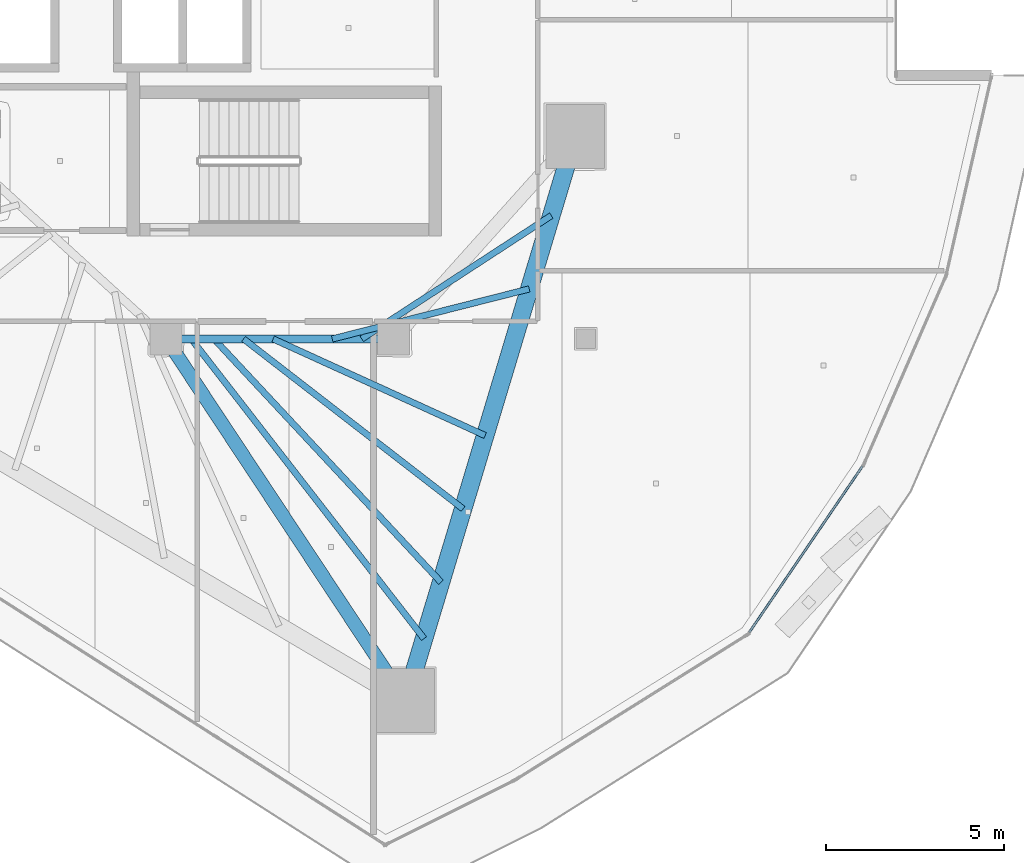
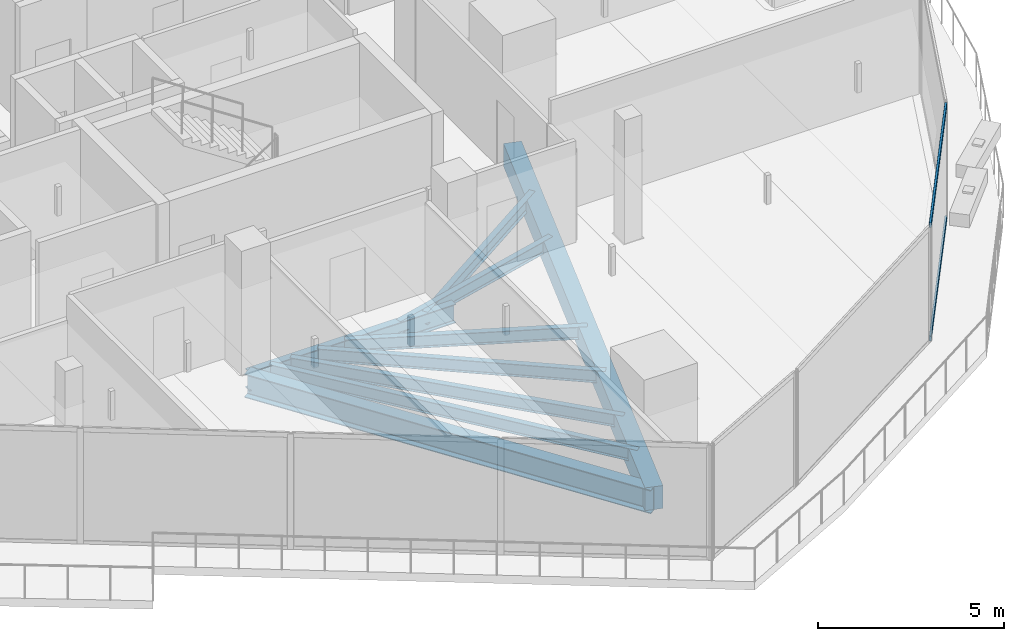
# One storey, part 10 of 36: 9 beams, 2 members, 1 element without a shape of its own.
"""IFC4 building model written with IfcOpenShell, lengths in metres."""

from ifc_helpers import new_model, si_unit, direction, frame, origin, origin_2d, place, context, subcontext, project, spatial, rectangle, hollow_rectangle, i_section, extrude, material, layer, layer_set, material_profile, profile_set, type_object, element, aggregate, save


model = new_model("IFC4")

# Units and contexts
model_context = context("Model", 3, precision=1e-05, world=origin(), true_north=direction((0.0, 1.0)))
body_context = subcontext(model_context, "Body", "Model", "MODEL_VIEW")
ifc_project = project(units=[si_unit("LENGTHUNIT", "METRE"), si_unit("AREAUNIT", "SQUARE_METRE"), si_unit("VOLUMEUNIT", "CUBIC_METRE"), si_unit("PLANEANGLEUNIT", "RADIAN"), si_unit("MASSUNIT", "GRAM", prefix="KILO")], contexts=[model_context])

# Site, building, storey
site_placement = place(None, origin())
site = spatial("IfcSite", under=ifc_project, at=site_placement, CompositionType="ELEMENT")
building_placement = place(site_placement, origin())
building = spatial("IfcBuilding", under=site, at=building_placement, Name="Qorvath Tower", CompositionType="ELEMENT")
storey_placement = place(building_placement, frame((0.0, 0.0, 241.5)))
storey = spatial("IfcBuildingStorey", under=building, at=storey_placement, Name="L56", CompositionType="ELEMENT", Elevation=241.5)

# Beams
ifc_material_1 = material(Name="Steel ASTM A992 Grade 50", Category="steel")
ifc_material_profile_1 = material_profile(ifc_material_1, i_section(OverallWidth=0.381103515625, OverallDepth=0.77294921875, WebThickness=0.0166015625, FlangeThickness=0.027099609375, FilletRadius=0.01904296875, at=origin_2d()), Name="W30x173")
ifc_profile_set_1 = profile_set([ifc_material_profile_1], Name="Steel ASTM A992 Grade 50")
beam_type_1 = type_object("IfcBeamType", Name="BM-FG3", PredefinedType="BEAM", material=ifc_profile_set_1)
beam_1_placement = place(storey_placement, frame((-23.60009765625, -11.449951171875, -0.656494140625), z_axis=(0.551500517741, -0.834174549439, 0.0), x_axis=(0.834174549439, 0.551500517741, 0.0)))
element("IfcBeam", 1, at=beam_1_placement, inside=storey, type_object=beam_type_1, Name="Radial Floor Girder CC4-MC3 L56", PredefinedType="BEAM", context=body_context, shape_type="SweptSolid", body=[
    extrude(i_section(OverallWidth=0.381103515625, OverallDepth=0.77294921875, WebThickness=0.0166015625, FlangeThickness=0.027099609375, FilletRadius=0.01904296875, at=origin_2d()), origin(), (0.0, 0.0, 1.0), 12.200439453125),
])
ifc_material_2 = material(Name="Steel ASTM A992 Grade 50", Category="steel")
ifc_material_profile_2 = material_profile(ifc_material_2, i_section(OverallWidth=0.22998046875, OverallDepth=0.616943359375, WebThickness=0.01318359375, FlangeThickness=0.022216796875, FilletRadius=0.014892578125, at=origin_2d()), Name="W24x94")
ifc_profile_set_2 = profile_set([ifc_material_profile_2], Name="Steel ASTM A992 Grade 50")
beam_type_2 = type_object("IfcBeamType", Name="BM-FG6", PredefinedType="BEAM", material=ifc_profile_set_2)
beam_2_placement = place(storey_placement, frame((-17.199951171875, -11.449951171875, -0.57861328125), z_axis=(-1.0, 0.0, 0.0), x_axis=(0.0, -1.0, 0.0)))
element("IfcBeam", 2, at=beam_2_placement, inside=storey, type_object=beam_type_2, Name="Core Ring Girder CC3-CC4 L56", PredefinedType="BEAM", context=body_context, shape_type="SweptSolid", body=[
    extrude(i_section(OverallWidth=0.22998046875, OverallDepth=0.616943359375, WebThickness=0.01318359375, FlangeThickness=0.022216796875, FilletRadius=0.014892578125, at=origin_2d()), origin(), (0.0, 0.0, 1.0), 6.400146484375),
])
ifc_material_3 = material(Name="Steel ASTM A992 Grade 50", Category="steel")
ifc_material_profile_3 = material_profile(ifc_material_3, i_section(OverallWidth=0.177978515625, OverallDepth=0.406005859375, WebThickness=0.0078125, FlangeThickness=0.0126953125, FilletRadius=0.010986328125, at=origin_2d()), Name="W16x40")
ifc_profile_set_3 = profile_set([ifc_material_profile_3], Name="Steel ASTM A992 Grade 50")
beam_type_3 = type_object("IfcBeamType", Name="BM-FJ3", PredefinedType="JOIST", material=ifc_profile_set_3)
beam_3_placement = place(storey_placement, frame((-18.095947265625, -11.449951171875, -0.472900390625), z_axis=(0.838041756057, 0.545606098853, 0.0), x_axis=(-0.545606098853, 0.838041756057, 0.0)))
element("IfcBeam", 3, at=beam_3_placement, inside=storey, type_object=beam_type_3, Name="Composite Floor Joist SE1 L56", PredefinedType="JOIST", context=body_context, shape_type="SweptSolid", body=[
    extrude(i_section(OverallWidth=0.177978515625, OverallDepth=0.406005859375, WebThickness=0.0078125, FlangeThickness=0.0126953125, FilletRadius=0.010986328125, at=origin_2d()), origin(), (0.0, 0.0, 1.0), 6.36083984375),
])
beam_4_placement = place(storey_placement, frame((-18.927978515625, -11.449951171875, -0.472900390625), z_axis=(0.969231577698, 0.246150662794, 0.0), x_axis=(-0.246150662794, 0.969231577698, 0.0)))
element("IfcBeam", 4, at=beam_4_placement, inside=storey, type_object=beam_type_3, Name="Composite Floor Joist SE2 L56", PredefinedType="JOIST", context=body_context, shape_type="SweptSolid", body=[
    extrude(i_section(OverallWidth=0.177978515625, OverallDepth=0.406005859375, WebThickness=0.0078125, FlangeThickness=0.0126953125, FilletRadius=0.010986328125, at=origin_2d()), origin(), (0.0, 0.0, 1.0), 5.718017578125),
])
beam_5_placement = place(storey_placement, frame((-20.592041015625, -11.449951171875, -0.472900390625), z_axis=(0.909945081179, -0.414728765868, 0.0), x_axis=(0.414728765868, 0.909945081179, 0.0)))
element("IfcBeam", 5, at=beam_5_placement, inside=storey, type_object=beam_type_3, Name="Composite Floor Joist SE4 L56", PredefinedType="JOIST", context=body_context, shape_type="SweptSolid", body=[
    extrude(i_section(OverallWidth=0.177978515625, OverallDepth=0.406005859375, WebThickness=0.0078125, FlangeThickness=0.0126953125, FilletRadius=0.010986328125, at=origin_2d()), origin(), (0.0, 0.0, 1.0), 6.554931640625),
])
beam_6_placement = place(storey_placement, frame((-21.424072265625, -11.449951171875, -0.472900390625), z_axis=(0.790693445503, -0.612212279555, 0.0), x_axis=(0.612212279555, 0.790693445503, 0.0)))
element("IfcBeam", 6, at=beam_6_placement, inside=storey, type_object=beam_type_3, Name="Composite Floor Joist SE5 L56", PredefinedType="JOIST", context=body_context, shape_type="SweptSolid", body=[
    extrude(i_section(OverallWidth=0.177978515625, OverallDepth=0.406005859375, WebThickness=0.0078125, FlangeThickness=0.0126953125, FilletRadius=0.010986328125, at=origin_2d()), origin(), (0.0, 0.0, 1.0), 7.810546875),
])
beam_7_placement = place(storey_placement, frame((-22.256103515625, -11.449951171875, -0.472900390625), z_axis=(0.682249490937, -0.731119437654, 0.0), x_axis=(0.731119437654, 0.682249490937, 0.0)))
element("IfcBeam", 7, at=beam_7_placement, inside=storey, type_object=beam_type_3, Name="Composite Floor Joist SE6 L56", PredefinedType="JOIST", context=body_context, shape_type="SweptSolid", body=[
    extrude(i_section(OverallWidth=0.177978515625, OverallDepth=0.406005859375, WebThickness=0.0078125, FlangeThickness=0.0126953125, FilletRadius=0.010986328125, at=origin_2d()), origin(), (0.0, 0.0, 1.0), 9.362060546875),
])
beam_8_placement = place(storey_placement, frame((-22.89599609375, -11.449951171875, -0.472900390625), z_axis=(0.61345131907, -0.789732536452, 0.0), x_axis=(0.789732536452, 0.61345131907, 0.0)))
element("IfcBeam", 8, at=beam_8_placement, inside=storey, type_object=beam_type_3, Name="Composite Floor Joist SE7 L56", PredefinedType="JOIST", context=body_context, shape_type="SweptSolid", body=[
    extrude(i_section(OverallWidth=0.177978515625, OverallDepth=0.406005859375, WebThickness=0.0078125, FlangeThickness=0.0126953125, FilletRadius=0.010986328125, at=origin_2d()), origin(), (0.0, 0.0, 1.0), 10.676513671875),
])
ifc_material_4 = material(Name="Concrete C45/55", Category="concrete")
ifc_material_profile_4 = material_profile(ifc_material_4, rectangle(XDim=0.5, YDim=0.75, at=origin_2d()), Name="RCB 750x500")
ifc_profile_set_4 = profile_set([ifc_material_profile_4], Name="Concrete C45/55")
beam_type_4 = type_object("IfcBeamType", Name="BM-RCB3", PredefinedType="SPANDREL", material=ifc_profile_set_4)
beam_9_placement = place(storey_placement, frame((-16.87158203125, -21.627197265625, -0.64501953125), z_axis=(0.28812763802, 0.957592013443, 0.0), x_axis=(-0.957592013443, 0.28812763802, 0.0)))
element("IfcBeam", 9, at=beam_9_placement, inside=storey, type_object=beam_type_4, Name="Perimeter Loggia Frame Beam MC3-MC4 L56", PredefinedType="SPANDREL", context=body_context, shape_type="SweptSolid", body=[
    extrude(rectangle(XDim=0.5, YDim=0.75, at=origin_2d()), origin(), (0.0, 0.0, 1.0), 16.572265625),
])

# Curtain wall, members
ifc_material_5 = material(Name="Anodised aluminium and triple low-E glass", Category="aluminium")
ifc_layer = layer(ifc_material_5, 0.179931640625)
ifc_layer_set = layer_set([ifc_layer], Name="CW-SYS-3")
curtain_wall_type = type_object("IfcCurtainWallType", Name="CW-SYS-3", PredefinedType="NOTDEFINED", material=ifc_layer_set)
curtain_wall_placement = place(storey_placement, origin())
curtain_wall = element("IfcCurtainWall", 10, at=curtain_wall_placement, inside=storey, type_object=curtain_wall_type, Name="Curtain Wall CW-3 CW-T-L56-5.1", PredefinedType="NOTDEFINED")
ifc_material_6 = material(Name="Anodised aluminium 6063-T6", Category="aluminium")
ifc_material_profile_5 = material_profile(ifc_material_6, hollow_rectangle(XDim=0.06494140625, YDim=0.159912109375, WallThickness=0.00341796875, InnerFilletRadius=0.00341796875, OuterFilletRadius=0.007080078125, at=origin_2d()), Name="CWT 160x65")
ifc_profile_set_5 = profile_set([ifc_material_profile_5], Name="Anodised aluminium 6063-T6")
member_type = type_object("IfcMemberType", Name="CWT-160", PredefinedType="USERDEFINED", material=ifc_profile_set_5)
member_1_placement = place(storey_placement, frame((-7.1943359375, -19.703857421875, 0.032470703125), z_axis=(0.563031341183, 0.826435544278, 0.0), x_axis=(-0.826435544278, 0.563031341183, 0.0)))
member_1 = element("IfcMember", 11, at=member_1_placement, type_object=member_type, Name="CW-3 transom 1.1", ObjectType="TRANSOM", PredefinedType="USERDEFINED", context=body_context, shape_type="SweptSolid", body=[
    extrude(hollow_rectangle(XDim=0.06494140625, YDim=0.159912109375, WallThickness=0.00341796875, InnerFilletRadius=0.00341796875, OuterFilletRadius=0.007080078125, at=origin_2d()), origin(), (0.0, 0.0, 1.0), 5.65478515625),
])
member_2_placement = place(storey_placement, frame((-7.1943359375, -19.703857421875, 3.74755859375), z_axis=(0.563031341183, 0.826435544278, 0.0), x_axis=(-0.826435544278, 0.563031341183, 0.0)))
member_2 = element("IfcMember", 12, at=member_2_placement, type_object=member_type, Name="CW-3 transom 1.2", ObjectType="TRANSOM", PredefinedType="USERDEFINED", context=body_context, shape_type="SweptSolid", body=[
    extrude(hollow_rectangle(XDim=0.06494140625, YDim=0.159912109375, WallThickness=0.00341796875, InnerFilletRadius=0.00341796875, OuterFilletRadius=0.007080078125, at=origin_2d()), origin(), (0.0, 0.0, 1.0), 5.65478515625),
])
aggregate(curtain_wall, [member_1, member_2])

save(model, "model.ifc")
